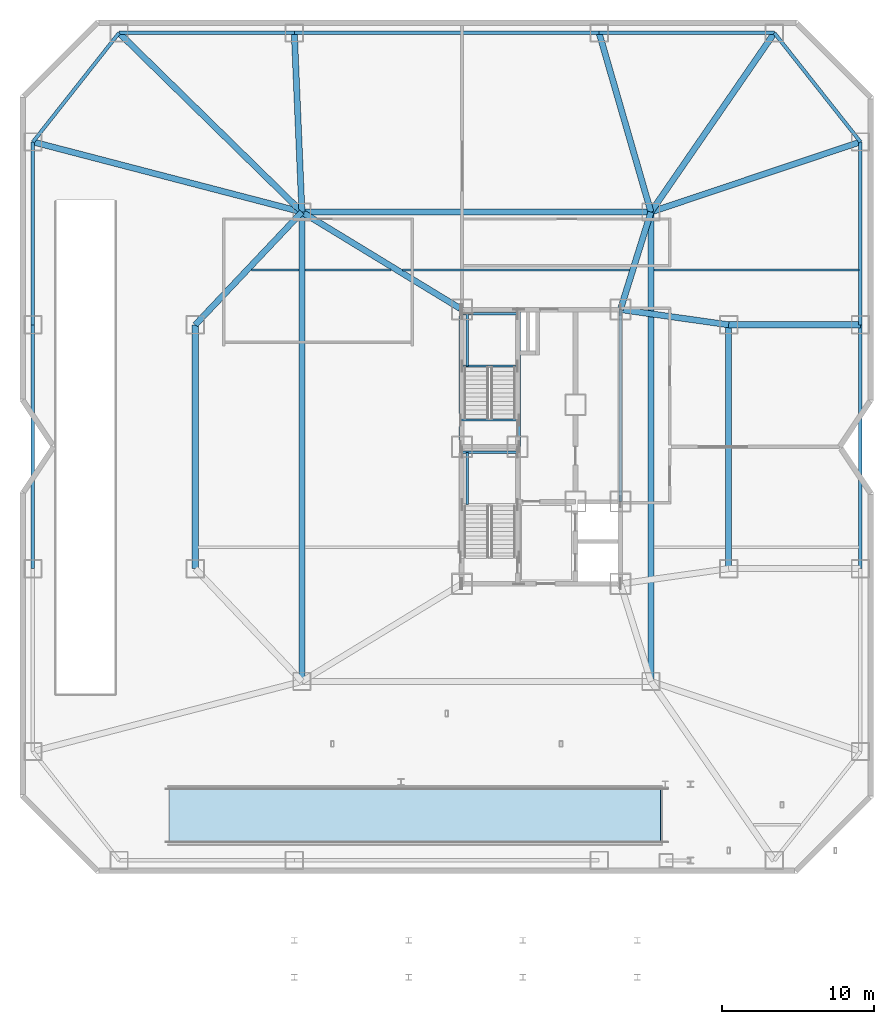
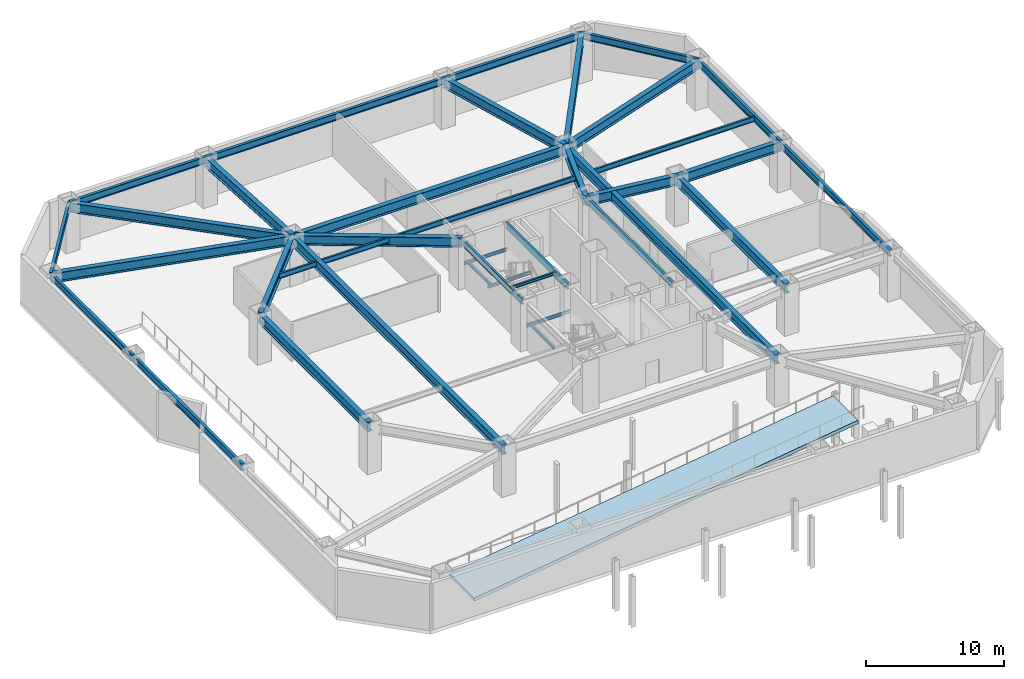
# One storey, part 5 of 14: 38 beams, 1 slab.
"""IFC4 building model written with IfcOpenShell, lengths in metres."""

from ifc_helpers import new_model, si_unit, direction, frame, origin, origin_2d, place, context, subcontext, project, spatial, polyline, i_section, outline, extrude, material, layer, layer_set, material_profile, profile_set, type_object, element, save


model = new_model("IFC4")

# Units and contexts
model_context = context("Model", 3, precision=1e-05, world=origin(), true_north=direction((0.0, 1.0)))
body_context = subcontext(model_context, "Body", "Model", "MODEL_VIEW")
ifc_project = project(units=[si_unit("LENGTHUNIT", "METRE"), si_unit("AREAUNIT", "SQUARE_METRE"), si_unit("VOLUMEUNIT", "CUBIC_METRE"), si_unit("PLANEANGLEUNIT", "RADIAN"), si_unit("MASSUNIT", "GRAM", prefix="KILO")], contexts=[model_context])

# Site, building, storey
site_placement = place(None, origin())
site = spatial("IfcSite", under=ifc_project, at=site_placement, CompositionType="ELEMENT")
building_placement = place(site_placement, origin())
building = spatial("IfcBuilding", under=site, at=building_placement, Name="Khamvora Tower", CompositionType="ELEMENT")
storey_placement = place(building_placement, frame((0.0, 0.0, -4.5)))
storey = spatial("IfcBuildingStorey", under=building, at=storey_placement, Name="B1", CompositionType="ELEMENT", Elevation=-4.5)

# Beams
ifc_material_1 = material(Name="Steel S355", Category="steel")
ifc_material_profile_1 = material_profile(ifc_material_1, i_section(OverallWidth=0.154052734375, OverallDepth=0.458984375, WebThickness=0.009033203125, FlangeThickness=0.014892578125, FilletRadius=0.011962890625, at=origin_2d()), Name="W460x68")
ifc_profile_set_1 = profile_set([ifc_material_profile_1], Name="Steel S355")
beam_type_1 = type_object("IfcBeamType", Name="BM-JS-W460x68", PredefinedType="JOIST", material=ifc_profile_set_1)
beam_1_placement = place(storey_placement, frame((15.176025390625, 39.60009765625, 3.909912109375), z_axis=(1.0, 0.0, 0.0), x_axis=(0.0, 1.0, 0.0)))
element("IfcBeam", 1, at=beam_1_placement, inside=storey, type_object=beam_type_1, Name="B1 secondary floor joist 06", PredefinedType="JOIST", context=body_context, shape_type="SweptSolid", body=[
    extrude(i_section(OverallWidth=0.154052734375, OverallDepth=0.458984375, WebThickness=0.009033203125, FlangeThickness=0.014892578125, FilletRadius=0.011962890625, at=origin_2d()), origin(), (0.0, 0.0, 1.0), 3.12890625),
])
beam_2_placement = place(storey_placement, frame((18.695068359375, 39.60009765625, 3.909912109375), z_axis=(1.0, 0.0, 0.0), x_axis=(0.0, 1.0, 0.0)))
element("IfcBeam", 2, at=beam_2_placement, inside=storey, type_object=beam_type_1, Name="B1 secondary floor joist 07", PredefinedType="JOIST", context=body_context, shape_type="SweptSolid", body=[
    extrude(i_section(OverallWidth=0.154052734375, OverallDepth=0.458984375, WebThickness=0.009033203125, FlangeThickness=0.014892578125, FilletRadius=0.011962890625, at=origin_2d()), origin(), (0.0, 0.0, 1.0), 5.659912109375),
])
beam_3_placement = place(storey_placement, frame((25.114013671875, 39.60009765625, 3.909912109375), z_axis=(1.0, 0.0, 0.0), x_axis=(0.0, 1.0, 0.0)))
element("IfcBeam", 3, at=beam_3_placement, inside=storey, type_object=beam_type_1, Name="B1 secondary floor joist 08", PredefinedType="JOIST", context=body_context, shape_type="SweptSolid", body=[
    extrude(i_section(OverallWidth=0.154052734375, OverallDepth=0.458984375, WebThickness=0.009033203125, FlangeThickness=0.014892578125, FilletRadius=0.011962890625, at=origin_2d()), origin(), (0.0, 0.0, 1.0), 14.89404296875),
])
beam_4_placement = place(storey_placement, frame((41.594970703125, 39.60009765625, 3.909912109375), z_axis=(1.0, 0.0, 0.0), x_axis=(0.0, 1.0, 0.0)))
element("IfcBeam", 4, at=beam_4_placement, inside=storey, type_object=beam_type_1, Name="B1 secondary floor joist 09", PredefinedType="JOIST", context=body_context, shape_type="SweptSolid", body=[
    extrude(i_section(OverallWidth=0.154052734375, OverallDepth=0.458984375, WebThickness=0.009033203125, FlangeThickness=0.014892578125, FilletRadius=0.011962890625, at=origin_2d()), origin(), (0.0, 0.0, 1.0), 13.445068359375),
])
ifc_material_profile_2 = material_profile(ifc_material_1, i_section(OverallWidth=0.14697265625, OverallDepth=0.261962890625, WebThickness=0.007080078125, FlangeThickness=0.010986328125, FilletRadius=0.008056640625, at=origin_2d()), Name="W250x39")
ifc_profile_set_2 = profile_set([ifc_material_profile_2], Name="Steel S355")
beam_type_2 = type_object("IfcBeamType", Name="BM-LN-W250x39", PredefinedType="LINTEL", material=ifc_profile_set_2)
beam_5_placement = place(storey_placement, frame((29.0, 27.6298828125, 1.9189453125), z_axis=(1.0, 0.0, 0.0), x_axis=(0.0, 1.0, 0.0)))
element("IfcBeam", 5, at=beam_5_placement, inside=storey, type_object=beam_type_2, Name="B1 ST-01 half-landing support beam 1.2", PredefinedType="LINTEL", context=body_context, shape_type="SweptSolid", body=[
    extrude(i_section(OverallWidth=0.14697265625, OverallDepth=0.261962890625, WebThickness=0.007080078125, FlangeThickness=0.010986328125, FilletRadius=0.008056640625, at=origin_2d()), origin(), (0.0, 0.0, 1.0), 3.64990234375),
])
beam_6_placement = place(storey_placement, frame((29.35009765625, 24.195068359375, 1.9189453125), z_axis=(0.0, 1.0, 0.0), x_axis=(-1.0, 0.0, 0.0)))
element("IfcBeam", 6, at=beam_6_placement, inside=storey, type_object=beam_type_2, Name="B1 ST-01 half-landing edge stringer 1", PredefinedType="LINTEL", context=body_context, shape_type="SweptSolid", body=[
    extrude(i_section(OverallWidth=0.14697265625, OverallDepth=0.261962890625, WebThickness=0.007080078125, FlangeThickness=0.010986328125, FilletRadius=0.008056640625, at=origin_2d()), origin(), (0.0, 0.0, 1.0), 3.434814453125),
])
for number, where, z_axis, x_axis, name in (
    (7, (29.0, 33.294921875, 1.9189453125), (1.0, 0.0, 0.0), (0.0, 1.0, 0.0), "B1 ST-02 half-landing support beam 1.1"),
    (8, (29.0, 36.72998046875, 1.9189453125), (1.0, 0.0, 0.0), (0.0, 1.0, 0.0), "B1 ST-02 half-landing support beam 1.2"),
):
    element("IfcBeam", number, at=place(storey_placement, frame(where, z_axis=z_axis, x_axis=x_axis)), inside=storey, type_object=beam_type_2, Name=name, PredefinedType="LINTEL", context=body_context, shape_type="SweptSolid", body=[
        extrude(i_section(OverallWidth=0.14697265625, OverallDepth=0.261962890625, WebThickness=0.007080078125, FlangeThickness=0.010986328125, FilletRadius=0.008056640625, at=origin_2d()), origin(), (0.0, 0.0, 1.0), 3.64990234375),
    ])
beam_7_placement = place(storey_placement, frame((29.35009765625, 33.294921875, 1.9189453125), z_axis=(0.0, 1.0, 0.0), x_axis=(-1.0, 0.0, 0.0)))
element("IfcBeam", 9, at=beam_7_placement, inside=storey, type_object=beam_type_2, Name="B1 ST-02 half-landing edge stringer 1", PredefinedType="LINTEL", context=body_context, shape_type="SweptSolid", body=[
    extrude(i_section(OverallWidth=0.14697265625, OverallDepth=0.261962890625, WebThickness=0.007080078125, FlangeThickness=0.010986328125, FilletRadius=0.008056640625, at=origin_2d()), origin(), (0.0, 0.0, 1.0), 3.43505859375),
])
beam_8_placement = place(storey_placement, frame((28.89990234375, 29.75, 4.013916015625), z_axis=(1.0, 0.0, 0.0), x_axis=(0.0, 1.0, 0.0)))
element("IfcBeam", 10, at=beam_8_placement, inside=storey, type_object=beam_type_2, Name="B1 exit stair ST-02 landing trimmer beam", PredefinedType="LINTEL", context=body_context, shape_type="SweptSolid", body=[
    extrude(i_section(OverallWidth=0.14697265625, OverallDepth=0.261962890625, WebThickness=0.007080078125, FlangeThickness=0.010986328125, FilletRadius=0.008056640625, at=origin_2d()), origin(), (0.0, 0.0, 1.0), 3.830078125),
])
ifc_material_profile_3 = material_profile(ifc_material_1, i_section(OverallWidth=0.39990234375, OverallDepth=0.85498046875, WebThickness=0.01806640625, FlangeThickness=0.029052734375, FilletRadius=0.01806640625, at=origin_2d()), Name="W840x299")
ifc_profile_set_3 = profile_set([ifc_material_profile_3], Name="Steel S355")
beam_type_3 = type_object("IfcBeamType", Name="BM-PG-W840x299", PredefinedType="BEAM", material=ifc_profile_set_3)
for number, where, z_axis, x_axis, name in (
    (11, (18.5, 12.60009765625, 3.712890625), (0.0, 1.0, 0.0), (-1.0, 0.0, 0.0), "B1 longitudinal frame girder P17-P19"),
    (12, (41.39990234375, 12.60009765625, 3.712890625), (0.0, 1.0, 0.0), (-1.0, 0.0, 0.0), "B1 longitudinal frame girder P18-P20"),
):
    element("IfcBeam", number, at=place(storey_placement, frame(where, z_axis=z_axis, x_axis=x_axis)), inside=storey, type_object=beam_type_3, Name=name, PredefinedType="BEAM", context=body_context, shape_type="SweptSolid", body=[
        extrude(i_section(OverallWidth=0.39990234375, OverallDepth=0.85498046875, WebThickness=0.01806640625, FlangeThickness=0.029052734375, FilletRadius=0.01806640625, at=origin_2d()), origin(), (0.0, 0.0, 1.0), 30.7998046875),
    ])
beam_9_placement = place(storey_placement, frame((18.5, 43.39990234375, 3.712890625), z_axis=(1.0, 0.0, 0.0), x_axis=(0.0, 1.0, 0.0)))
element("IfcBeam", 13, at=beam_9_placement, inside=storey, type_object=beam_type_3, Name="B1 longitudinal frame girder P19-P20", PredefinedType="BEAM", context=body_context, shape_type="SweptSolid", body=[
    extrude(i_section(OverallWidth=0.39990234375, OverallDepth=0.85498046875, WebThickness=0.01806640625, FlangeThickness=0.029052734375, FilletRadius=0.01806640625, at=origin_2d()), origin(), (0.0, 0.0, 1.0), 22.89990234375),
])
for number, where, z_axis, x_axis, name in (
    (14, (11.5, 20.0, 3.712890625), (0.0, 1.0, 0.0), (-1.0, 0.0, 0.0), "B1 longitudinal frame girder P21-P22"),
    (15, (46.5, 20.0, 3.712890625), (0.0, 1.0, 0.0), (-1.0, 0.0, 0.0), "B1 longitudinal frame girder P23-P24"),
):
    element("IfcBeam", number, at=place(storey_placement, frame(where, z_axis=z_axis, x_axis=x_axis)), inside=storey, type_object=beam_type_3, Name=name, PredefinedType="BEAM", context=body_context, shape_type="SweptSolid", body=[
        extrude(i_section(OverallWidth=0.39990234375, OverallDepth=0.85498046875, WebThickness=0.01806640625, FlangeThickness=0.029052734375, FilletRadius=0.01806640625, at=origin_2d()), origin(), (0.0, 0.0, 1.0), 16.0),
    ])
beam_10_placement = place(storey_placement, frame((18.5, 43.39990234375, 3.712890625), z_axis=(-0.714510426493, 0.699624792608, 0.0), x_axis=(-0.699624792608, -0.714510426493, 0.0)))
element("IfcBeam", 16, at=beam_10_placement, inside=storey, type_object=beam_type_3, Name="B1 primary floor girder P05", PredefinedType="BEAM", context=body_context, shape_type="SweptSolid", body=[
    extrude(i_section(OverallWidth=0.39990234375, OverallDepth=0.85498046875, WebThickness=0.01806640625, FlangeThickness=0.029052734375, FilletRadius=0.01806640625, at=origin_2d()), origin(), (0.0, 0.0, 1.0), 16.794677734375),
])
beam_11_placement = place(storey_placement, frame((18.5, 43.39990234375, 3.712890625), z_axis=(-0.042514716625, 0.999095840683, 0.0), x_axis=(-0.999095840683, -0.042514716625, 0.0)))
element("IfcBeam", 17, at=beam_11_placement, inside=storey, type_object=beam_type_3, Name="B1 primary floor girder P06", PredefinedType="BEAM", context=body_context, shape_type="SweptSolid", body=[
    extrude(i_section(OverallWidth=0.39990234375, OverallDepth=0.85498046875, WebThickness=0.01806640625, FlangeThickness=0.029052734375, FilletRadius=0.01806640625, at=origin_2d()), origin(), (0.0, 0.0, 1.0), 11.7607421875),
])
beam_12_placement = place(storey_placement, frame((41.39990234375, 43.39990234375, 3.712890625), z_axis=(-0.277951455854, 0.960595121885, 0.0), x_axis=(-0.960595121885, -0.277951455854, 0.0)))
element("IfcBeam", 18, at=beam_12_placement, inside=storey, type_object=beam_type_3, Name="B1 primary floor girder P07", PredefinedType="BEAM", context=body_context, shape_type="SweptSolid", body=[
    extrude(i_section(OverallWidth=0.39990234375, OverallDepth=0.85498046875, WebThickness=0.01806640625, FlangeThickness=0.029052734375, FilletRadius=0.01806640625, at=origin_2d()), origin(), (0.0, 0.0, 1.0), 12.23193359375),
])
beam_13_placement = place(storey_placement, frame((41.39990234375, 43.39990234375, 3.712890625), z_axis=(0.567573841069, 0.823322497527, 0.0), x_axis=(-0.823322497527, 0.567573841069, 0.0)))
element("IfcBeam", 19, at=beam_13_placement, inside=storey, type_object=beam_type_3, Name="B1 primary floor girder P08", PredefinedType="BEAM", context=body_context, shape_type="SweptSolid", body=[
    extrude(i_section(OverallWidth=0.39990234375, OverallDepth=0.85498046875, WebThickness=0.01806640625, FlangeThickness=0.029052734375, FilletRadius=0.01806640625, at=origin_2d()), origin(), (0.0, 0.0, 1.0), 14.271484375),
])
beam_14_placement = place(storey_placement, frame((18.5, 43.39990234375, 3.712890625), z_axis=(-0.967673821538, 0.252205025942, 0.0), x_axis=(-0.252205025942, -0.967673821538, 0.0)))
element("IfcBeam", 20, at=beam_14_placement, inside=storey, type_object=beam_type_3, Name="B1 primary floor girder P12", PredefinedType="BEAM", context=body_context, shape_type="SweptSolid", body=[
    extrude(i_section(OverallWidth=0.39990234375, OverallDepth=0.85498046875, WebThickness=0.01806640625, FlangeThickness=0.029052734375, FilletRadius=0.01806640625, at=origin_2d()), origin(), (0.0, 0.0, 1.0), 18.239501953125),
])
beam_15_placement = place(storey_placement, frame((46.5, 36.0, 3.712890625), z_axis=(1.0, 0.0, 0.0), x_axis=(0.0, 1.0, 0.0)))
element("IfcBeam", 21, at=beam_15_placement, inside=storey, type_object=beam_type_3, Name="B1 primary floor girder P15", PredefinedType="BEAM", context=body_context, shape_type="SweptSolid", body=[
    extrude(i_section(OverallWidth=0.39990234375, OverallDepth=0.85498046875, WebThickness=0.01806640625, FlangeThickness=0.029052734375, FilletRadius=0.01806640625, at=origin_2d()), origin(), (0.0, 0.0, 1.0), 8.64990234375),
])
beam_16_placement = place(storey_placement, frame((41.39990234375, 43.39990234375, 3.712890625), z_axis=(0.948335857324, 0.31726818579, 0.0), x_axis=(-0.31726818579, 0.948335857324, 0.0)))
element("IfcBeam", 22, at=beam_16_placement, inside=storey, type_object=beam_type_3, Name="B1 primary floor girder P16", PredefinedType="BEAM", context=body_context, shape_type="SweptSolid", body=[
    extrude(i_section(OverallWidth=0.39990234375, OverallDepth=0.85498046875, WebThickness=0.01806640625, FlangeThickness=0.029052734375, FilletRadius=0.01806640625, at=origin_2d()), origin(), (0.0, 0.0, 1.0), 14.4990234375),
])
beam_17_placement = place(storey_placement, frame((29.0, 37.0, 3.712890625), z_axis=(-0.853887856757, 0.520457037691, 0.0), x_axis=(-0.520457037691, -0.853887856757, 0.0)))
element("IfcBeam", 23, at=beam_17_placement, inside=storey, type_object=beam_type_3, Name="B1 primary floor girder P19", PredefinedType="BEAM", context=body_context, shape_type="SweptSolid", body=[
    extrude(i_section(OverallWidth=0.39990234375, OverallDepth=0.85498046875, WebThickness=0.01806640625, FlangeThickness=0.029052734375, FilletRadius=0.01806640625, at=origin_2d()), origin(), (0.0, 0.0, 1.0), 12.296630859375),
])
beam_18_placement = place(storey_placement, frame((39.39990234375, 37.0, 3.712890625), z_axis=(0.298279139585, 0.95447868226, 0.0), x_axis=(-0.95447868226, 0.298279139585, 0.0)))
element("IfcBeam", 24, at=beam_18_placement, inside=storey, type_object=beam_type_3, Name="B1 primary floor girder P20", PredefinedType="BEAM", context=body_context, shape_type="SweptSolid", body=[
    extrude(i_section(OverallWidth=0.39990234375, OverallDepth=0.85498046875, WebThickness=0.01806640625, FlangeThickness=0.029052734375, FilletRadius=0.01806640625, at=origin_2d()), origin(), (0.0, 0.0, 1.0), 6.705078125),
])
beam_19_placement = place(storey_placement, frame((18.5, 43.39990234375, 3.712890625), z_axis=(-0.687204640029, -0.726463889483, 0.0), x_axis=(0.726463889483, -0.687204640029, 0.0)))
element("IfcBeam", 25, at=beam_19_placement, inside=storey, type_object=beam_type_3, Name="B1 primary floor girder P22", PredefinedType="BEAM", context=body_context, shape_type="SweptSolid", body=[
    extrude(i_section(OverallWidth=0.39990234375, OverallDepth=0.85498046875, WebThickness=0.01806640625, FlangeThickness=0.029052734375, FilletRadius=0.01806640625, at=origin_2d()), origin(), (0.0, 0.0, 1.0), 10.186279296875),
])
beam_20_placement = place(storey_placement, frame((39.39990234375, 37.0, 3.712890625), z_axis=(0.990226770029, -0.139466640879, 0.0), x_axis=(0.139466640879, 0.990226770029, 0.0)))
element("IfcBeam", 26, at=beam_20_placement, inside=storey, type_object=beam_type_3, Name="B1 primary floor girder P24", PredefinedType="BEAM", context=body_context, shape_type="SweptSolid", body=[
    extrude(i_section(OverallWidth=0.39990234375, OverallDepth=0.85498046875, WebThickness=0.01806640625, FlangeThickness=0.029052734375, FilletRadius=0.01806640625, at=origin_2d()), origin(), (0.0, 0.0, 1.0), 7.170166015625),
])
ifc_material_profile_4 = material_profile(ifc_material_1, i_section(OverallWidth=0.208984375, OverallDepth=0.532958984375, WebThickness=0.010009765625, FlangeThickness=0.01611328125, FilletRadius=0.013916015625, at=origin_2d()), Name="W530x92")
ifc_profile_set_4 = profile_set([ifc_material_profile_4], Name="Steel S355")
beam_type_4 = type_object("IfcBeamType", Name="BM-SP-W530x92", PredefinedType="SPANDREL", material=ifc_profile_set_4)
for number, where, z_axis, x_axis, name in (
    (27, (28.89990234375, 28.0, 3.873046875), (0.0, 1.0, 0.0), (-1.0, 0.0, 0.0), "B1 core spine girder WN"),
    (28, (32.72998046875, 28.0, 3.873046875), (0.0, 1.0, 0.0), (-1.0, 0.0, 0.0), "B1 core spine girder M1N"),
):
    element("IfcBeam", number, at=place(storey_placement, frame(where, z_axis=z_axis, x_axis=x_axis)), inside=storey, type_object=beam_type_4, Name=name, PredefinedType="SPANDREL", context=body_context, shape_type="SweptSolid", body=[
        extrude(i_section(OverallWidth=0.208984375, OverallDepth=0.532958984375, WebThickness=0.010009765625, FlangeThickness=0.01611328125, FilletRadius=0.013916015625, at=origin_2d()), origin(), (0.0, 0.0, 1.0), 9.0),
    ])
beam_21_placement = place(storey_placement, frame((39.39990234375, 24.39990234375, 3.873046875), z_axis=(0.0, 1.0, 0.0), x_axis=(-1.0, 0.0, 0.0)))
element("IfcBeam", 29, at=beam_21_placement, inside=storey, type_object=beam_type_4, Name="B1 core spine girder EN", PredefinedType="SPANDREL", context=body_context, shape_type="SweptSolid", body=[
    extrude(i_section(OverallWidth=0.208984375, OverallDepth=0.532958984375, WebThickness=0.010009765625, FlangeThickness=0.01611328125, FilletRadius=0.013916015625, at=origin_2d()), origin(), (0.0, 0.0, 1.0), 12.60009765625),
])
ifc_material_profile_5 = material_profile(ifc_material_1, i_section(OverallWidth=0.22998046875, OverallDepth=0.616943359375, WebThickness=0.012939453125, FlangeThickness=0.02197265625, FilletRadius=0.013916015625, at=origin_2d()), Name="W610x140")
ifc_profile_set_5 = profile_set([ifc_material_profile_5], Name="Steel S355")
beam_type_5 = type_object("IfcBeamType", Name="BM-SP-W610x140", PredefinedType="SPANDREL", material=ifc_profile_set_5)
beam_22_placement = place(storey_placement, frame((55.14990234375, 20.0, 3.83203125), z_axis=(0.0, 1.0, 0.0), x_axis=(-1.0, 0.0, 0.0)))
element("IfcBeam", 30, at=beam_22_placement, inside=storey, type_object=beam_type_5, Name="B1 perimeter spandrel beam P14-P15", PredefinedType="SPANDREL", context=body_context, shape_type="SweptSolid", body=[
    extrude(i_section(OverallWidth=0.22998046875, OverallDepth=0.616943359375, WebThickness=0.012939453125, FlangeThickness=0.02197265625, FilletRadius=0.013916015625, at=origin_2d()), origin(), (0.0, 0.0, 1.0), 16.0),
])
beam_23_placement = place(storey_placement, frame((55.14990234375, 36.0, 3.83203125), z_axis=(0.0, 1.0, 0.0), x_axis=(-1.0, 0.0, 0.0)))
element("IfcBeam", 31, at=beam_23_placement, inside=storey, type_object=beam_type_5, Name="B1 perimeter spandrel beam P15-P16", PredefinedType="SPANDREL", context=body_context, shape_type="SweptSolid", body=[
    extrude(i_section(OverallWidth=0.22998046875, OverallDepth=0.616943359375, WebThickness=0.012939453125, FlangeThickness=0.02197265625, FilletRadius=0.013916015625, at=origin_2d()), origin(), (0.0, 0.0, 1.0), 12.0),
])
beam_24_placement = place(storey_placement, frame((55.14990234375, 48.0, 3.83203125), z_axis=(-0.619998635429, 0.784602888133, 0.0), x_axis=(-0.784602888133, -0.619998635429, 0.0)))
element("IfcBeam", 32, at=beam_24_placement, inside=storey, type_object=beam_type_5, Name="B1 perimeter spandrel beam P16-P08", PredefinedType="SPANDREL", context=body_context, shape_type="SweptSolid", body=[
    extrude(i_section(OverallWidth=0.22998046875, OverallDepth=0.616943359375, WebThickness=0.012939453125, FlangeThickness=0.02197265625, FilletRadius=0.013916015625, at=origin_2d()), origin(), (0.0, 0.0, 1.0), 9.11279296875),
])
beam_25_placement = place(storey_placement, frame((49.5, 55.14990234375, 3.83203125), z_axis=(-1.0, 0.0, 0.0), x_axis=(0.0, -1.0, 0.0)))
element("IfcBeam", 33, at=beam_25_placement, inside=storey, type_object=beam_type_5, Name="B1 perimeter spandrel beam P08-P07", PredefinedType="SPANDREL", context=body_context, shape_type="SweptSolid", body=[
    extrude(i_section(OverallWidth=0.22998046875, OverallDepth=0.616943359375, WebThickness=0.012939453125, FlangeThickness=0.02197265625, FilletRadius=0.013916015625, at=origin_2d()), origin(), (0.0, 0.0, 1.0), 11.5),
])
beam_26_placement = place(storey_placement, frame((38.0, 55.14990234375, 3.83203125), z_axis=(-1.0, 0.0, 0.0), x_axis=(0.0, -1.0, 0.0)))
element("IfcBeam", 34, at=beam_26_placement, inside=storey, type_object=beam_type_5, Name="B1 perimeter spandrel beam P07-P06", PredefinedType="SPANDREL", context=body_context, shape_type="SweptSolid", body=[
    extrude(i_section(OverallWidth=0.22998046875, OverallDepth=0.616943359375, WebThickness=0.012939453125, FlangeThickness=0.02197265625, FilletRadius=0.013916015625, at=origin_2d()), origin(), (0.0, 0.0, 1.0), 20.0),
])
beam_27_placement = place(storey_placement, frame((18.0, 55.14990234375, 3.83203125), z_axis=(-1.0, 0.0, 0.0), x_axis=(0.0, -1.0, 0.0)))
element("IfcBeam", 35, at=beam_27_placement, inside=storey, type_object=beam_type_5, Name="B1 perimeter spandrel beam P06-P05", PredefinedType="SPANDREL", context=body_context, shape_type="SweptSolid", body=[
    extrude(i_section(OverallWidth=0.22998046875, OverallDepth=0.616943359375, WebThickness=0.012939453125, FlangeThickness=0.02197265625, FilletRadius=0.013916015625, at=origin_2d()), origin(), (0.0, 0.0, 1.0), 11.5),
])
beam_28_placement = place(storey_placement, frame((6.5, 55.14990234375, 3.83203125), z_axis=(-0.619998635429, -0.784602888133, 0.0), x_axis=(0.784602888133, -0.619998635429, 0.0)))
element("IfcBeam", 36, at=beam_28_placement, inside=storey, type_object=beam_type_5, Name="B1 perimeter spandrel beam P05-P12", PredefinedType="SPANDREL", context=body_context, shape_type="SweptSolid", body=[
    extrude(i_section(OverallWidth=0.22998046875, OverallDepth=0.616943359375, WebThickness=0.012939453125, FlangeThickness=0.02197265625, FilletRadius=0.013916015625, at=origin_2d()), origin(), (0.0, 0.0, 1.0), 9.11279296875),
])
beam_29_placement = place(storey_placement, frame((0.85009765625, 48.0, 3.83203125), z_axis=(0.0, -1.0, 0.0), x_axis=(1.0, 0.0, 0.0)))
element("IfcBeam", 37, at=beam_29_placement, inside=storey, type_object=beam_type_5, Name="B1 perimeter spandrel beam P12-P11", PredefinedType="SPANDREL", context=body_context, shape_type="SweptSolid", body=[
    extrude(i_section(OverallWidth=0.22998046875, OverallDepth=0.616943359375, WebThickness=0.012939453125, FlangeThickness=0.02197265625, FilletRadius=0.013916015625, at=origin_2d()), origin(), (0.0, 0.0, 1.0), 12.0),
])
beam_30_placement = place(storey_placement, frame((0.85009765625, 36.0, 3.83203125), z_axis=(0.0, -1.0, 0.0), x_axis=(1.0, 0.0, 0.0)))
element("IfcBeam", 38, at=beam_30_placement, inside=storey, type_object=beam_type_5, Name="B1 perimeter spandrel beam P11-P10", PredefinedType="SPANDREL", context=body_context, shape_type="SweptSolid", body=[
    extrude(i_section(OverallWidth=0.22998046875, OverallDepth=0.616943359375, WebThickness=0.012939453125, FlangeThickness=0.02197265625, FilletRadius=0.013916015625, at=origin_2d()), origin(), (0.0, 0.0, 1.0), 16.0),
])

# Slab
ifc_material_2 = material(Name="Concrete C40/50", Category="concrete")
ifc_layer = layer(ifc_material_2, 0.300048828125)
ifc_layer_set = layer_set([ifc_layer], Name="Concrete C40/50")
slab_type = type_object("IfcSlabType", Name="SLB-VRMP-300", PredefinedType="FLOOR", material=ifc_layer_set)
slab_placement = place(storey_placement, frame((9.800048828125, 2.0, 0.0), z_axis=(-0.138322368619, 0.0, 0.990387258773), x_axis=(0.990387258773, 0.0, 0.138322368619)))
element("IfcSlab", 39, at=slab_placement, inside=storey, type_object=slab_type, Name="B1 grade exit car park vehicle ramp slab", PredefinedType="FLOOR", context=body_context, shape_type="SweptSolid", body=[
    extrude(outline(polyline([(0.0, 0.0), (32.532699121195485, 0.0), (32.532699121195485, 3.60009765625), (0.0, 3.60009765625), (0.0, 0.0)])), origin(), (0.0, 0.0, -1.0), 0.300048828125),
])

save(model, "model.ifc")
